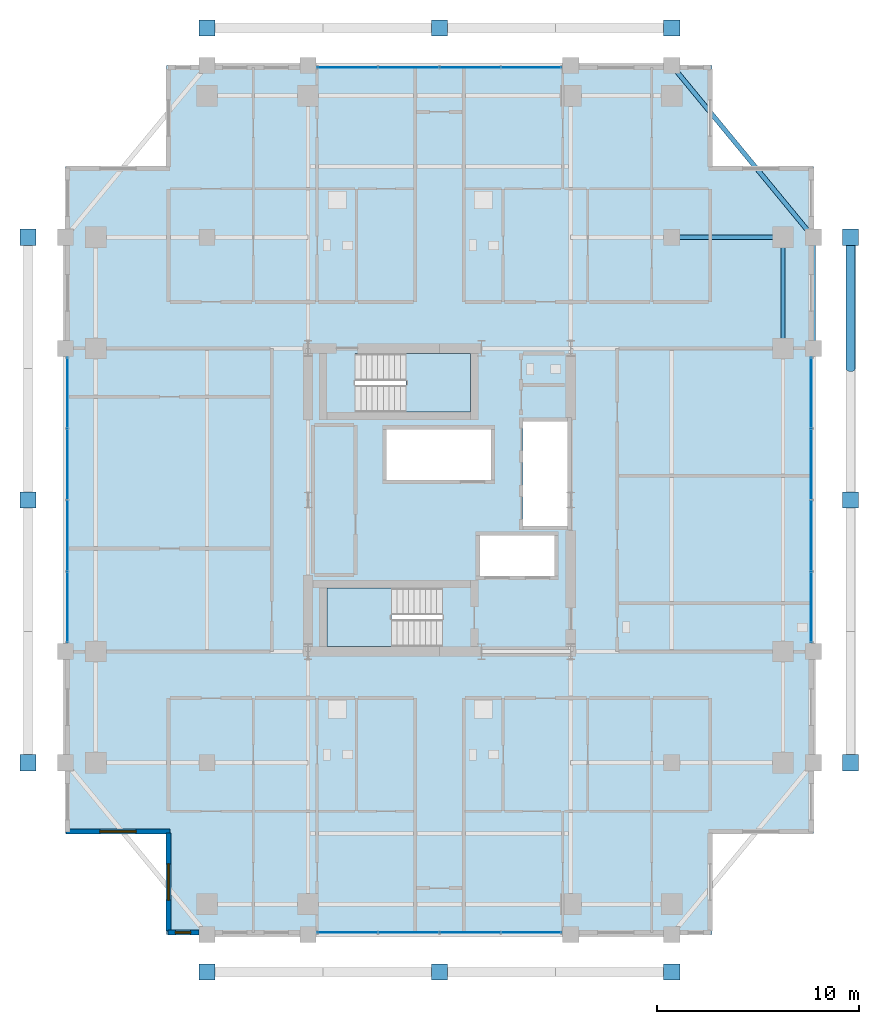
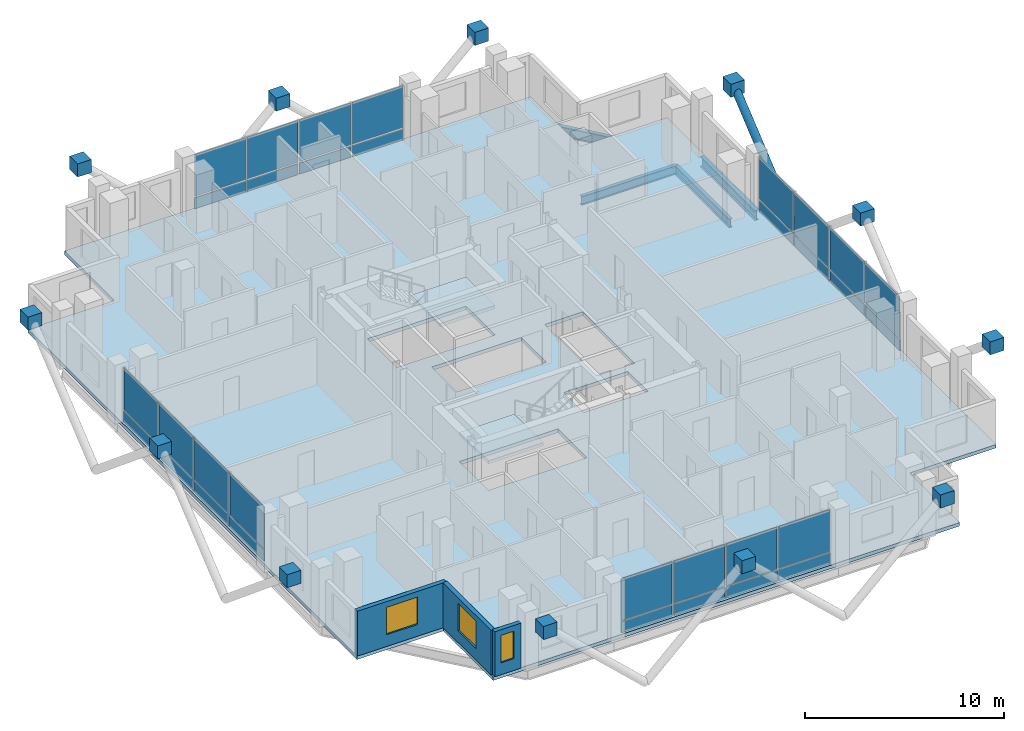
# One storey, part 17 of 24: 44 plates, 4 beams, 3 slabs, 3 walls, 3 windows, 1 member, 3 openings, 6 elements without a shape of their own.
"""IFC4 building model written with IfcOpenShell, lengths in metres."""

from ifc_helpers import new_model, si_unit, direction, frame, frame_2d, origin, origin_2d, place, context, subcontext, project, spatial, polyline, rectangle, hollow_circle, i_section, outline, extrude, material, layer, layer_set, material_profile, profile_set, type_object, element, fill, aggregate, save


model = new_model("IFC4")

# Units and contexts
model_context = context("Model", 3, precision=1e-05, world=origin(), true_north=direction((0.0, 1.0)))
body_context = subcontext(model_context, "Body", "Model", "MODEL_VIEW")
ifc_project = project(units=[si_unit("LENGTHUNIT", "METRE"), si_unit("AREAUNIT", "SQUARE_METRE"), si_unit("VOLUMEUNIT", "CUBIC_METRE"), si_unit("PLANEANGLEUNIT", "RADIAN"), si_unit("MASSUNIT", "GRAM", prefix="KILO")], contexts=[model_context])

# Site, building, storey
site_placement = place(None, origin())
site = spatial("IfcSite", under=ifc_project, at=site_placement, CompositionType="ELEMENT")
building_placement = place(site_placement, origin())
building = spatial("IfcBuilding", under=site, at=building_placement, Name="Barlavira Tower and Art Museum", CompositionType="ELEMENT")
storey_placement = place(building_placement, frame((0.0, 0.0, 194.39990234375)))
storey = spatial("IfcBuildingStorey", under=building, at=storey_placement, Name="L50", CompositionType="ELEMENT", Elevation=194.39990234375)

# Member
ifc_material_1 = material(Name="Steel S355", Category="steel")
ifc_material_profile_1 = material_profile(ifc_material_1, hollow_circle(Radius=0.228515625, WallThickness=0.02001953125, at=origin_2d()), Name="CHS 457.0x20.0")
ifc_profile_set_1 = profile_set([ifc_material_profile_1], Name="Steel S355")
member_type = type_object("IfcMemberType", Name="Pale-Metal Exoskeleton Diagrid Tube CHS 457x20 Steel S355", PredefinedType="BRACE", material=ifc_profile_set_1)
member_placement = place(storey_placement, frame((20.35009765625, 6.5, -1.919921875), z_axis=(0.0, 0.769196053329, 0.639012857104), x_axis=(-1.0, 0.0, 0.0)))
element("IfcMember", 1, at=member_placement, inside=storey, type_object=member_type, Name="L50 Exoskeleton Diagrid Tube E", PredefinedType="BRACE", context=body_context, shape_type="SweptSolid", body=[
    extrude(hollow_circle(Radius=0.228515625, WallThickness=0.02001953125, at=origin_2d()), origin(), (0.0, 0.0, 1.0), 8.450439453125),
])

# Beams
ifc_material_profile_2 = material_profile(ifc_material_1, i_section(OverallWidth=0.22998046875, OverallDepth=0.616943359375, WebThickness=0.01318359375, FlangeThickness=0.022216796875, at=origin_2d()), Name="W610x140.0")
ifc_profile_set_2 = profile_set([ifc_material_profile_2], Name="Steel S355")
beam_type_1 = type_object("IfcBeamType", Name="Upper Shaft Spandrel Edge Beam W610x140 Steel S355", PredefinedType="SPANDREL", material=ifc_profile_set_2)
beam_1_placement = place(storey_placement, frame((18.5, 7.5, -0.5283203125), z_axis=(0.0, 1.0, 0.0), x_axis=(-1.0, 0.0, 0.0)))
element("IfcBeam", 2, at=beam_1_placement, inside=storey, type_object=beam_type_1, Name="L50 Spandrel 7", PredefinedType="SPANDREL", context=body_context, shape_type="SweptSolid", body=[
    extrude(i_section(OverallWidth=0.22998046875, OverallDepth=0.616943359375, WebThickness=0.01318359375, FlangeThickness=0.022216796875, at=origin_2d()), origin(), (0.0, 0.0, 1.0), 5.5),
])
beam_2_placement = place(storey_placement, frame((18.5, 13.0, -0.5283203125), z_axis=(-0.635707252861, 0.771930235617, 0.0), x_axis=(-0.771930235617, -0.635707252861, 0.0)))
element("IfcBeam", 3, at=beam_2_placement, inside=storey, type_object=beam_type_1, Name="L50 Spandrel 8", PredefinedType="SPANDREL", context=body_context, shape_type="SweptSolid", body=[
    extrude(i_section(OverallWidth=0.22998046875, OverallDepth=0.616943359375, WebThickness=0.01318359375, FlangeThickness=0.022216796875, at=origin_2d()), origin(), (0.0, 0.0, 1.0), 11.011474609375),
])
ifc_material_profile_3 = material_profile(ifc_material_1, i_section(OverallWidth=0.2109375, OverallDepth=0.5390625, WebThickness=0.01171875, FlangeThickness=0.018798828125, at=origin_2d()), Name="W530x109.0")
ifc_profile_set_3 = profile_set([ifc_material_profile_3], Name="Steel S355")
beam_type_2 = type_object("IfcBeamType", Name="Zone 3-4 Primary Floor Girder W530x109 Steel S355", PredefinedType="BEAM", material=ifc_profile_set_3)
for number, where, z_axis, x_axis, name in (
    (4, (17.0, 7.5, -0.489501953125), (0.0, 1.0, 0.0), (-1.0, 0.0, 0.0), "L50 Girder M-E3"),
    (5, (11.5, 13.0, -0.489501953125), (1.0, 0.0, 0.0), (0.0, 1.0, 0.0), "L50 Girder I-N4"),
):
    element("IfcBeam", number, at=place(storey_placement, frame(where, z_axis=z_axis, x_axis=x_axis)), inside=storey, type_object=beam_type_2, Name=name, PredefinedType="BEAM", context=body_context, shape_type="SweptSolid", body=[
        extrude(i_section(OverallWidth=0.2109375, OverallDepth=0.5390625, WebThickness=0.01171875, FlangeThickness=0.018798828125, at=origin_2d()), origin(), (0.0, 0.0, 1.0), 5.5),
    ])

# Curtain wall, plates
ifc_material_2 = material(Name="Low-iron coastal laminated glass", Category="glass")
ifc_layer_1 = layer(ifc_material_2, 0.199951171875, Name="Low-iron coastal laminated glass")
ifc_layer_set_1 = layer_set([ifc_layer_1], Name="Low-iron coastal laminated glass")
curtain_wall_type = type_object("IfcCurtainWallType", Name="Pale-Metal Unitised Curtain Wall Zone 3", PredefinedType="NOTDEFINED", material=ifc_layer_set_1)
curtain_wall_1_placement = place(storey_placement, origin())
curtain_wall_1 = element("IfcCurtainWall", 6, at=curtain_wall_1_placement, inside=storey, type_object=curtain_wall_type, Name="L50 Curtain Wall CW3-L50-S-B3", PredefinedType="NOTDEFINED")
ifc_material_3 = material(Name="Pale anodised aluminium", Category="aluminium")
ifc_layer_2 = layer(ifc_material_3, 0.044921875, Name="Pale anodised aluminium")
ifc_layer_set_2 = layer_set([ifc_layer_2], Name="Pale anodised aluminium")
plate_type_1 = type_object("IfcPlateType", Name="Curtain Wall Pale-Metal Spandrel Panel 45", PredefinedType="CURTAIN_PANEL", material=ifc_layer_set_2)
plate_1_placement = place(storey_placement, frame((-4.56005859375, -21.39990234375, 0.0400390625), z_axis=(0.0, 0.0, 1.0), x_axis=(1.0, 0.0, 0.0)))
plate_1 = element("IfcPlate", 7, at=plate_1_placement, type_object=plate_type_1, Name="CW3-L50-S-B3 Spandrel Panel 0", PredefinedType="CURTAIN_PANEL", context=body_context, shape_type="SweptSolid", body=[
    extrude(rectangle(XDim=2.93994140625, YDim=0.044921875, at=origin_2d()), origin(), (0.0, 0.0, 1.0), 0.6640625),
])
plate_2_placement = place(storey_placement, frame((-1.52001953125, -21.39990234375, 0.0400390625), z_axis=(0.0, 0.0, 1.0), x_axis=(1.0, 0.0, 0.0)))
plate_2 = element("IfcPlate", 8, at=plate_2_placement, type_object=plate_type_1, Name="CW3-L50-S-B3 Spandrel Panel 1", PredefinedType="CURTAIN_PANEL", context=body_context, shape_type="SweptSolid", body=[
    extrude(rectangle(XDim=2.93994140625, YDim=0.044921875, at=origin_2d()), origin(), (0.0, 0.0, 1.0), 0.6640625),
])
plate_3_placement = place(storey_placement, frame((1.52001953125, -21.39990234375, 0.0400390625), z_axis=(0.0, 0.0, 1.0), x_axis=(1.0, 0.0, 0.0)))
plate_3 = element("IfcPlate", 9, at=plate_3_placement, type_object=plate_type_1, Name="CW3-L50-S-B3 Spandrel Panel 2", PredefinedType="CURTAIN_PANEL", context=body_context, shape_type="SweptSolid", body=[
    extrude(rectangle(XDim=2.93994140625, YDim=0.044921875, at=origin_2d()), origin(), (0.0, 0.0, 1.0), 0.6640625),
])
plate_4_placement = place(storey_placement, frame((4.56005859375, -21.39990234375, 0.0400390625), z_axis=(0.0, 0.0, 1.0), x_axis=(1.0, 0.0, 0.0)))
plate_4 = element("IfcPlate", 10, at=plate_4_placement, type_object=plate_type_1, Name="CW3-L50-S-B3 Spandrel Panel 3", PredefinedType="CURTAIN_PANEL", context=body_context, shape_type="SweptSolid", body=[
    extrude(rectangle(XDim=2.93994140625, YDim=0.044921875, at=origin_2d()), origin(), (0.0, 0.0, 1.0), 0.6640625),
])

curtain_wall_2_placement = place(storey_placement, origin())
curtain_wall_2 = element("IfcCurtainWall", 11, at=curtain_wall_2_placement, inside=storey, type_object=curtain_wall_type, Name="L50 Curtain Wall CW3-L50-N-B3", PredefinedType="NOTDEFINED")
plate_5_placement = place(storey_placement, frame((4.56005859375, 21.39990234375, 0.0400390625), z_axis=(0.0, 0.0, 1.0), x_axis=(-1.0, 0.0, 0.0)))
plate_5 = element("IfcPlate", 12, at=plate_5_placement, type_object=plate_type_1, Name="CW3-L50-N-B3 Spandrel Panel 0", PredefinedType="CURTAIN_PANEL", context=body_context, shape_type="SweptSolid", body=[
    extrude(rectangle(XDim=2.93994140625, YDim=0.044921875, at=origin_2d()), origin(), (0.0, 0.0, 1.0), 0.6640625),
])
plate_6_placement = place(storey_placement, frame((1.52001953125, 21.39990234375, 0.0400390625), z_axis=(0.0, 0.0, 1.0), x_axis=(-1.0, 0.0, 0.0)))
plate_6 = element("IfcPlate", 13, at=plate_6_placement, type_object=plate_type_1, Name="CW3-L50-N-B3 Spandrel Panel 1", PredefinedType="CURTAIN_PANEL", context=body_context, shape_type="SweptSolid", body=[
    extrude(rectangle(XDim=2.93994140625, YDim=0.044921875, at=origin_2d()), origin(), (0.0, 0.0, 1.0), 0.6640625),
])
plate_7_placement = place(storey_placement, frame((-1.52001953125, 21.39990234375, 0.0400390625), z_axis=(0.0, 0.0, 1.0), x_axis=(-1.0, 0.0, 0.0)))
plate_7 = element("IfcPlate", 14, at=plate_7_placement, type_object=plate_type_1, Name="CW3-L50-N-B3 Spandrel Panel 2", PredefinedType="CURTAIN_PANEL", context=body_context, shape_type="SweptSolid", body=[
    extrude(rectangle(XDim=2.93994140625, YDim=0.044921875, at=origin_2d()), origin(), (0.0, 0.0, 1.0), 0.6640625),
])
plate_8_placement = place(storey_placement, frame((-4.56005859375, 21.39990234375, 0.0400390625), z_axis=(0.0, 0.0, 1.0), x_axis=(-1.0, 0.0, 0.0)))
plate_8 = element("IfcPlate", 15, at=plate_8_placement, type_object=plate_type_1, Name="CW3-L50-N-B3 Spandrel Panel 3", PredefinedType="CURTAIN_PANEL", context=body_context, shape_type="SweptSolid", body=[
    extrude(rectangle(XDim=2.93994140625, YDim=0.044921875, at=origin_2d()), origin(), (0.0, 0.0, 1.0), 0.6640625),
])

curtain_wall_3_placement = place(storey_placement, origin())
curtain_wall_3 = element("IfcCurtainWall", 16, at=curtain_wall_3_placement, inside=storey, type_object=curtain_wall_type, Name="L50 Curtain Wall CW3-L50-W-B3", PredefinedType="NOTDEFINED")
plate_9_placement = place(storey_placement, frame((-18.39990234375, 5.31005859375, 0.0400390625), z_axis=(0.0, 0.0, 1.0), x_axis=(0.0, -1.0, 0.0)))
plate_9 = element("IfcPlate", 17, at=plate_9_placement, type_object=plate_type_1, Name="CW3-L50-W-B3 Spandrel Panel 0", PredefinedType="CURTAIN_PANEL", context=body_context, shape_type="SweptSolid", body=[
    extrude(rectangle(XDim=3.43994140625, YDim=0.044921875, at=origin_2d()), origin(), (0.0, 0.0, 1.0), 0.6640625),
])
plate_10_placement = place(storey_placement, frame((-18.39990234375, 1.77001953125, 0.0400390625), z_axis=(0.0, 0.0, 1.0), x_axis=(0.0, -1.0, 0.0)))
plate_10 = element("IfcPlate", 18, at=plate_10_placement, type_object=plate_type_1, Name="CW3-L50-W-B3 Spandrel Panel 1", PredefinedType="CURTAIN_PANEL", context=body_context, shape_type="SweptSolid", body=[
    extrude(rectangle(XDim=3.43994140625, YDim=0.044921875, at=origin_2d()), origin(), (0.0, 0.0, 1.0), 0.6640625),
])
plate_11_placement = place(storey_placement, frame((-18.39990234375, -1.77001953125, 0.0400390625), z_axis=(0.0, 0.0, 1.0), x_axis=(0.0, -1.0, 0.0)))
plate_11 = element("IfcPlate", 19, at=plate_11_placement, type_object=plate_type_1, Name="CW3-L50-W-B3 Spandrel Panel 2", PredefinedType="CURTAIN_PANEL", context=body_context, shape_type="SweptSolid", body=[
    extrude(rectangle(XDim=3.43994140625, YDim=0.044921875, at=origin_2d()), origin(), (0.0, 0.0, 1.0), 0.6640625),
])
plate_12_placement = place(storey_placement, frame((-18.39990234375, -5.31005859375, 0.0400390625), z_axis=(0.0, 0.0, 1.0), x_axis=(0.0, -1.0, 0.0)))
plate_12 = element("IfcPlate", 20, at=plate_12_placement, type_object=plate_type_1, Name="CW3-L50-W-B3 Spandrel Panel 3", PredefinedType="CURTAIN_PANEL", context=body_context, shape_type="SweptSolid", body=[
    extrude(rectangle(XDim=3.43994140625, YDim=0.044921875, at=origin_2d()), origin(), (0.0, 0.0, 1.0), 0.6640625),
])

curtain_wall_4_placement = place(storey_placement, origin())
curtain_wall_4 = element("IfcCurtainWall", 21, at=curtain_wall_4_placement, inside=storey, type_object=curtain_wall_type, Name="L50 Curtain Wall CW3-L50-E-B3", PredefinedType="NOTDEFINED")
plate_13_placement = place(storey_placement, frame((18.39990234375, -5.31005859375, 0.0400390625), z_axis=(0.0, 0.0, 1.0), x_axis=(0.0, 1.0, 0.0)))
plate_13 = element("IfcPlate", 22, at=plate_13_placement, type_object=plate_type_1, Name="CW3-L50-E-B3 Spandrel Panel 0", PredefinedType="CURTAIN_PANEL", context=body_context, shape_type="SweptSolid", body=[
    extrude(rectangle(XDim=3.43994140625, YDim=0.044921875, at=origin_2d()), origin(), (0.0, 0.0, 1.0), 0.6640625),
])
plate_14_placement = place(storey_placement, frame((18.39990234375, -1.77001953125, 0.0400390625), z_axis=(0.0, 0.0, 1.0), x_axis=(0.0, 1.0, 0.0)))
plate_14 = element("IfcPlate", 23, at=plate_14_placement, type_object=plate_type_1, Name="CW3-L50-E-B3 Spandrel Panel 1", PredefinedType="CURTAIN_PANEL", context=body_context, shape_type="SweptSolid", body=[
    extrude(rectangle(XDim=3.43994140625, YDim=0.044921875, at=origin_2d()), origin(), (0.0, 0.0, 1.0), 0.6640625),
])
plate_15_placement = place(storey_placement, frame((18.39990234375, 1.77001953125, 0.0400390625), z_axis=(0.0, 0.0, 1.0), x_axis=(0.0, 1.0, 0.0)))
plate_15 = element("IfcPlate", 24, at=plate_15_placement, type_object=plate_type_1, Name="CW3-L50-E-B3 Spandrel Panel 2", PredefinedType="CURTAIN_PANEL", context=body_context, shape_type="SweptSolid", body=[
    extrude(rectangle(XDim=3.43994140625, YDim=0.044921875, at=origin_2d()), origin(), (0.0, 0.0, 1.0), 0.6640625),
])
plate_16_placement = place(storey_placement, frame((18.39990234375, 5.31005859375, 0.0400390625), z_axis=(0.0, 0.0, 1.0), x_axis=(0.0, 1.0, 0.0)))
plate_16 = element("IfcPlate", 25, at=plate_16_placement, type_object=plate_type_1, Name="CW3-L50-E-B3 Spandrel Panel 3", PredefinedType="CURTAIN_PANEL", context=body_context, shape_type="SweptSolid", body=[
    extrude(rectangle(XDim=3.43994140625, YDim=0.044921875, at=origin_2d()), origin(), (0.0, 0.0, 1.0), 0.6640625),
])

# Plate
ifc_layer_3 = layer(ifc_material_2, 0.028076171875, Name="Low-iron coastal laminated glass")
ifc_layer_set_3 = layer_set([ifc_layer_3], Name="Low-iron coastal laminated glass")
plate_type_2 = type_object("IfcPlateType", Name="Curtain Wall Vision Glazing Panel 28", PredefinedType="CURTAIN_PANEL", material=ifc_layer_set_3)
plate_17_placement = place(storey_placement, frame((-4.56005859375, -21.39990234375, 0.7841796875), z_axis=(0.0, 0.0, 1.0), x_axis=(1.0, 0.0, 0.0)))
plate_17 = element("IfcPlate", 26, at=plate_17_placement, type_object=plate_type_2, Name="CW3-L50-S-B3 Vision Glass Panel 0", PredefinedType="CURTAIN_PANEL", context=body_context, shape_type="SweptSolid", body=[
    extrude(rectangle(XDim=2.93994140625, YDim=0.028076171875, at=origin_2d()), origin(), (0.0, 0.0, 1.0), 2.555908203125),
])

plate_18_placement = place(storey_placement, frame((-1.52001953125, -21.39990234375, 0.7841796875), z_axis=(0.0, 0.0, 1.0), x_axis=(1.0, 0.0, 0.0)))
plate_18 = element("IfcPlate", 27, at=plate_18_placement, type_object=plate_type_2, Name="CW3-L50-S-B3 Vision Glass Panel 1", PredefinedType="CURTAIN_PANEL", context=body_context, shape_type="SweptSolid", body=[
    extrude(rectangle(XDim=2.93994140625, YDim=0.028076171875, at=origin_2d()), origin(), (0.0, 0.0, 1.0), 2.555908203125),
])

plate_19_placement = place(storey_placement, frame((1.52001953125, -21.39990234375, 0.7841796875), z_axis=(0.0, 0.0, 1.0), x_axis=(1.0, 0.0, 0.0)))
plate_19 = element("IfcPlate", 28, at=plate_19_placement, type_object=plate_type_2, Name="CW3-L50-S-B3 Vision Glass Panel 2", PredefinedType="CURTAIN_PANEL", context=body_context, shape_type="SweptSolid", body=[
    extrude(rectangle(XDim=2.93994140625, YDim=0.028076171875, at=origin_2d()), origin(), (0.0, 0.0, 1.0), 2.555908203125),
])

plate_20_placement = place(storey_placement, frame((4.56005859375, -21.39990234375, 0.7841796875), z_axis=(0.0, 0.0, 1.0), x_axis=(1.0, 0.0, 0.0)))
plate_20 = element("IfcPlate", 29, at=plate_20_placement, type_object=plate_type_2, Name="CW3-L50-S-B3 Vision Glass Panel 3", PredefinedType="CURTAIN_PANEL", context=body_context, shape_type="SweptSolid", body=[
    extrude(rectangle(XDim=2.93994140625, YDim=0.028076171875, at=origin_2d()), origin(), (0.0, 0.0, 1.0), 2.555908203125),
])

aggregate(curtain_wall_1, [plate_1, plate_17, plate_2, plate_18, plate_3, plate_19, plate_4, plate_20])

plate_21_placement = place(storey_placement, frame((4.56005859375, 21.39990234375, 0.7841796875), z_axis=(0.0, 0.0, 1.0), x_axis=(-1.0, 0.0, 0.0)))
plate_21 = element("IfcPlate", 30, at=plate_21_placement, type_object=plate_type_2, Name="CW3-L50-N-B3 Vision Glass Panel 0", PredefinedType="CURTAIN_PANEL", context=body_context, shape_type="SweptSolid", body=[
    extrude(rectangle(XDim=2.93994140625, YDim=0.028076171875, at=origin_2d()), origin(), (0.0, 0.0, 1.0), 2.555908203125),
])

plate_22_placement = place(storey_placement, frame((1.52001953125, 21.39990234375, 0.7841796875), z_axis=(0.0, 0.0, 1.0), x_axis=(-1.0, 0.0, 0.0)))
plate_22 = element("IfcPlate", 31, at=plate_22_placement, type_object=plate_type_2, Name="CW3-L50-N-B3 Vision Glass Panel 1", PredefinedType="CURTAIN_PANEL", context=body_context, shape_type="SweptSolid", body=[
    extrude(rectangle(XDim=2.93994140625, YDim=0.028076171875, at=origin_2d()), origin(), (0.0, 0.0, 1.0), 2.555908203125),
])

plate_23_placement = place(storey_placement, frame((-1.52001953125, 21.39990234375, 0.7841796875), z_axis=(0.0, 0.0, 1.0), x_axis=(-1.0, 0.0, 0.0)))
plate_23 = element("IfcPlate", 32, at=plate_23_placement, type_object=plate_type_2, Name="CW3-L50-N-B3 Vision Glass Panel 2", PredefinedType="CURTAIN_PANEL", context=body_context, shape_type="SweptSolid", body=[
    extrude(rectangle(XDim=2.93994140625, YDim=0.028076171875, at=origin_2d()), origin(), (0.0, 0.0, 1.0), 2.555908203125),
])

plate_24_placement = place(storey_placement, frame((-4.56005859375, 21.39990234375, 0.7841796875), z_axis=(0.0, 0.0, 1.0), x_axis=(-1.0, 0.0, 0.0)))
plate_24 = element("IfcPlate", 33, at=plate_24_placement, type_object=plate_type_2, Name="CW3-L50-N-B3 Vision Glass Panel 3", PredefinedType="CURTAIN_PANEL", context=body_context, shape_type="SweptSolid", body=[
    extrude(rectangle(XDim=2.93994140625, YDim=0.028076171875, at=origin_2d()), origin(), (0.0, 0.0, 1.0), 2.555908203125),
])

aggregate(curtain_wall_2, [plate_5, plate_21, plate_6, plate_22, plate_7, plate_23, plate_8, plate_24])

plate_25_placement = place(storey_placement, frame((-18.39990234375, 5.31005859375, 0.7841796875), z_axis=(0.0, 0.0, 1.0), x_axis=(0.0, -1.0, 0.0)))
plate_25 = element("IfcPlate", 34, at=plate_25_placement, type_object=plate_type_2, Name="CW3-L50-W-B3 Vision Glass Panel 0", PredefinedType="CURTAIN_PANEL", context=body_context, shape_type="SweptSolid", body=[
    extrude(rectangle(XDim=3.43994140625, YDim=0.028076171875, at=origin_2d()), origin(), (0.0, 0.0, 1.0), 2.555908203125),
])

plate_26_placement = place(storey_placement, frame((-18.39990234375, 1.77001953125, 0.7841796875), z_axis=(0.0, 0.0, 1.0), x_axis=(0.0, -1.0, 0.0)))
plate_26 = element("IfcPlate", 35, at=plate_26_placement, type_object=plate_type_2, Name="CW3-L50-W-B3 Vision Glass Panel 1", PredefinedType="CURTAIN_PANEL", context=body_context, shape_type="SweptSolid", body=[
    extrude(rectangle(XDim=3.43994140625, YDim=0.028076171875, at=origin_2d()), origin(), (0.0, 0.0, 1.0), 2.555908203125),
])

plate_27_placement = place(storey_placement, frame((-18.39990234375, -1.77001953125, 0.7841796875), z_axis=(0.0, 0.0, 1.0), x_axis=(0.0, -1.0, 0.0)))
plate_27 = element("IfcPlate", 36, at=plate_27_placement, type_object=plate_type_2, Name="CW3-L50-W-B3 Vision Glass Panel 2", PredefinedType="CURTAIN_PANEL", context=body_context, shape_type="SweptSolid", body=[
    extrude(rectangle(XDim=3.43994140625, YDim=0.028076171875, at=origin_2d()), origin(), (0.0, 0.0, 1.0), 2.555908203125),
])

plate_28_placement = place(storey_placement, frame((-18.39990234375, -5.31005859375, 0.7841796875), z_axis=(0.0, 0.0, 1.0), x_axis=(0.0, -1.0, 0.0)))
plate_28 = element("IfcPlate", 37, at=plate_28_placement, type_object=plate_type_2, Name="CW3-L50-W-B3 Vision Glass Panel 3", PredefinedType="CURTAIN_PANEL", context=body_context, shape_type="SweptSolid", body=[
    extrude(rectangle(XDim=3.43994140625, YDim=0.028076171875, at=origin_2d()), origin(), (0.0, 0.0, 1.0), 2.555908203125),
])

aggregate(curtain_wall_3, [plate_9, plate_25, plate_10, plate_26, plate_11, plate_27, plate_12, plate_28])

plate_29_placement = place(storey_placement, frame((18.39990234375, -5.31005859375, 0.7841796875), z_axis=(0.0, 0.0, 1.0), x_axis=(0.0, 1.0, 0.0)))
plate_29 = element("IfcPlate", 38, at=plate_29_placement, type_object=plate_type_2, Name="CW3-L50-E-B3 Vision Glass Panel 0", PredefinedType="CURTAIN_PANEL", context=body_context, shape_type="SweptSolid", body=[
    extrude(rectangle(XDim=3.43994140625, YDim=0.028076171875, at=origin_2d()), origin(), (0.0, 0.0, 1.0), 2.555908203125),
])

plate_30_placement = place(storey_placement, frame((18.39990234375, -1.77001953125, 0.7841796875), z_axis=(0.0, 0.0, 1.0), x_axis=(0.0, 1.0, 0.0)))
plate_30 = element("IfcPlate", 39, at=plate_30_placement, type_object=plate_type_2, Name="CW3-L50-E-B3 Vision Glass Panel 1", PredefinedType="CURTAIN_PANEL", context=body_context, shape_type="SweptSolid", body=[
    extrude(rectangle(XDim=3.43994140625, YDim=0.028076171875, at=origin_2d()), origin(), (0.0, 0.0, 1.0), 2.555908203125),
])

plate_31_placement = place(storey_placement, frame((18.39990234375, 1.77001953125, 0.7841796875), z_axis=(0.0, 0.0, 1.0), x_axis=(0.0, 1.0, 0.0)))
plate_31 = element("IfcPlate", 40, at=plate_31_placement, type_object=plate_type_2, Name="CW3-L50-E-B3 Vision Glass Panel 2", PredefinedType="CURTAIN_PANEL", context=body_context, shape_type="SweptSolid", body=[
    extrude(rectangle(XDim=3.43994140625, YDim=0.028076171875, at=origin_2d()), origin(), (0.0, 0.0, 1.0), 2.555908203125),
])

plate_32_placement = place(storey_placement, frame((18.39990234375, 5.31005859375, 0.7841796875), z_axis=(0.0, 0.0, 1.0), x_axis=(0.0, 1.0, 0.0)))
plate_32 = element("IfcPlate", 41, at=plate_32_placement, type_object=plate_type_2, Name="CW3-L50-E-B3 Vision Glass Panel 3", PredefinedType="CURTAIN_PANEL", context=body_context, shape_type="SweptSolid", body=[
    extrude(rectangle(XDim=3.43994140625, YDim=0.028076171875, at=origin_2d()), origin(), (0.0, 0.0, 1.0), 2.555908203125),
])

aggregate(curtain_wall_4, [plate_13, plate_29, plate_14, plate_30, plate_15, plate_31, plate_16, plate_32])

# Plates
ifc_layer_4 = layer(ifc_material_1, 0.800048828125, Name="Steel S355")
ifc_layer_set_4 = layer_set([ifc_layer_4], Name="Steel S355")
plate_type_3 = type_object("IfcPlateType", Name="Exoskeleton Solid Steel Node Cap Plate Assembly Type 3 Steel S355", PredefinedType="USERDEFINED", material=ifc_layer_set_4)
for number, where, z_axis, x_axis, name in (
    (42, (-11.5, -23.35009765625, 3.080078125), (0.0, 0.0, 1.0), (1.0, 0.0, 0.0), "Exoskeleton Node S ND-L50-0517"),
    (43, (0.0, -23.35009765625, 3.080078125), (0.0, 0.0, 1.0), (1.0, 0.0, 0.0), "Exoskeleton Node S ND-L50-0518"),
    (44, (11.5, -23.35009765625, 3.080078125), (0.0, 0.0, 1.0), (1.0, 0.0, 0.0), "Exoskeleton Node S ND-L50-0519"),
    (45, (-11.5, 23.35009765625, 3.080078125), (0.0, 0.0, 1.0), (1.0, 0.0, 0.0), "Exoskeleton Node N ND-L50-0525"),
    (46, (0.0, 23.35009765625, 3.080078125), (0.0, 0.0, 1.0), (1.0, 0.0, 0.0), "Exoskeleton Node N ND-L50-0526"),
    (47, (11.5, 23.35009765625, 3.080078125), (0.0, 0.0, 1.0), (1.0, 0.0, 0.0), "Exoskeleton Node N ND-L50-0527"),
    (48, (-20.35009765625, -13.0, 3.080078125), (0.0, 0.0, 1.0), (1.0, 0.0, 0.0), "Exoskeleton Node W ND-L50-0533"),
    (49, (-20.35009765625, 0.0, 3.080078125), (0.0, 0.0, 1.0), (1.0, 0.0, 0.0), "Exoskeleton Node W ND-L50-0534"),
    (50, (-20.35009765625, 13.0, 3.080078125), (0.0, 0.0, 1.0), (1.0, 0.0, 0.0), "Exoskeleton Node W ND-L50-0535"),
    (51, (20.35009765625, -13.0, 3.080078125), (0.0, 0.0, 1.0), (1.0, 0.0, 0.0), "Exoskeleton Node E ND-L50-0541"),
    (52, (20.35009765625, 0.0, 3.080078125), (0.0, 0.0, 1.0), (1.0, 0.0, 0.0), "Exoskeleton Node E ND-L50-0542"),
    (53, (20.35009765625, 13.0, 3.080078125), (0.0, 0.0, 1.0), (1.0, 0.0, 0.0), "Exoskeleton Node E ND-L50-0543"),
):
    element("IfcPlate", number, at=place(storey_placement, frame(where, z_axis=z_axis, x_axis=x_axis)), inside=storey, type_object=plate_type_3, Name=name, ObjectType="FLANGE_PLATE", PredefinedType="USERDEFINED", context=body_context, shape_type="SweptSolid", body=[
        extrude(rectangle(XDim=0.800048828125, YDim=0.800048828125, at=origin_2d()), origin(), (0.0, 0.0, 1.0), 0.800048828125),
    ])

# Stair, slab
ifc_material_4 = material(Name="Concrete C45", Category="concrete")
stair_type_1 = type_object("IfcStairType", Name="Tower North Dog-Leg Exit Stair Assembly Concrete C45", PredefinedType="TWO_QUARTER_TURN_STAIR", material=ifc_material_4)
stair_1_placement = place(storey_placement, origin())
stair_1 = element("IfcStair", 54, at=stair_1_placement, inside=storey, type_object=stair_type_1, Name="L50 Tower North Exit Stair ST-T2", PredefinedType="TWO_QUARTER_TURN_STAIR")
ifc_layer_5 = layer(ifc_material_4, 0.199951171875, Name="Concrete C45")
ifc_layer_set_5 = layer_set([ifc_layer_5], Name="Concrete C45")
slab_type_1 = type_object("IfcSlabType", Name="Tower North Dog-Leg Exit Stair Half-Landing Slab 200 Concrete C45", PredefinedType="LANDING", material=ifc_layer_set_5)
slab_1_placement = place(storey_placement, frame((0.0, 0.0, 1.60009765625)))
slab_1 = element("IfcSlab", 55, at=slab_1_placement, type_object=slab_type_1, Name="ST-T2 landing 1", PredefinedType="LANDING", context=body_context, shape_type="SweptSolid", body=[
    extrude(outline(polyline([(-1.64990234375, 4.35009765625), (1.530029296875, 4.35009765625), (1.530029296875, 7.25), (-1.64990234375, 7.25), (-1.64990234375, 4.35009765625)])), origin(), (0.0, 0.0, 1.0), 0.199951171875),
])
aggregate(stair_1, [slab_1])

stair_type_2 = type_object("IfcStairType", Name="Tower South Dog-Leg Exit Stair Assembly Concrete C45", PredefinedType="TWO_QUARTER_TURN_STAIR", material=ifc_material_4)
stair_2_placement = place(storey_placement, origin())
stair_2 = element("IfcStair", 56, at=stair_2_placement, inside=storey, type_object=stair_type_2, Name="L50 Tower South Exit Stair ST-T1", PredefinedType="TWO_QUARTER_TURN_STAIR")
ifc_layer_6 = layer(ifc_material_4, 0.199951171875, Name="Concrete C45")
ifc_layer_set_6 = layer_set([ifc_layer_6], Name="Concrete C45")
slab_type_2 = type_object("IfcSlabType", Name="Tower South Dog-Leg Exit Stair Half-Landing Slab 200 Concrete C45", PredefinedType="LANDING", material=ifc_layer_set_6)
slab_2_placement = place(storey_placement, frame((0.0, 0.0, 1.60009765625)))
slab_2 = element("IfcSlab", 57, at=slab_2_placement, type_object=slab_type_2, Name="ST-T1 landing 1", PredefinedType="LANDING", context=body_context, shape_type="SweptSolid", body=[
    extrude(outline(polyline([(-2.3701171875, -4.35009765625), (-5.550048828125, -4.35009765625), (-5.550048828125, -7.25), (-2.3701171875, -7.25), (-2.3701171875, -4.35009765625)])), origin(), (0.0, 0.0, 1.0), 0.199951171875),
])
aggregate(stair_2, [slab_2])

# Slab
ifc_material_5 = material(Name="Concrete C50", Category="concrete")
ifc_layer_7 = layer(ifc_material_5, 0.199951171875, Name="Concrete C50")
ifc_layer_set_7 = layer_set([ifc_layer_7], Name="Concrete C50")
slab_type_3 = type_object("IfcSlabType", Name="Zone 3 Residential Composite Slab 200 Concrete C50", PredefinedType="FLOOR", material=ifc_layer_set_7)
slab_3_placement = place(storey_placement, frame((0.0, 0.0, -0.219970703125)))
element("IfcSlab", 58, at=slab_3_placement, inside=storey, type_object=slab_type_3, Name="L50 Tower Floor Slab", PredefinedType="FLOOR", context=body_context, shape_type="SweptSolid", body=[
    extrude(outline(polyline([(-13.5, -21.5), (13.5, -21.5), (13.5, -16.5), (18.5, -16.5), (18.5, 16.5), (13.5, 16.5), (13.5, 21.5), (-13.5, 21.5), (-13.5, 16.5), (-18.5, 16.5), (-18.5, -16.5), (-13.5, -16.5), (-13.5, -21.5)]), holes=[polyline([(0.14990234375, -4.35009765625), (-5.550048828125, -4.35009765625), (-5.550048828125, -7.25), (0.14990234375, -7.25), (0.14990234375, -4.35009765625)]), polyline([(-4.169921875, 4.35009765625), (1.530029296875, 4.35009765625), (1.530029296875, 7.25), (-4.169921875, 7.25), (-4.169921875, 4.35009765625)]), polyline([(4.14990234375, -1.2900390625), (6.35009765625, -1.2900390625), (6.35009765625, 3.889892578125), (4.14990234375, 3.889892578125), (4.14990234375, -1.2900390625)]), polyline([(-2.6201171875, 1.0), (2.56005859375, 1.0), (2.56005859375, 3.5), (-2.6201171875, 3.5), (-2.6201171875, 1.0)]), polyline([(2.0, -3.75), (5.699951171875, -3.75), (5.699951171875, -1.75), (2.0, -1.75), (2.0, -3.75)])]), origin(), (0.0, 0.0, 1.0), 0.219970703125),
])

# Wall, opening, window
ifc_material_6 = material(Name="Precast concrete C40", Category="concrete")
ifc_layer_8 = layer(ifc_material_6, 0.25, Name="Precast concrete C40")
ifc_layer_set_8 = layer_set([ifc_layer_8], Name="Precast concrete C40")
wall_type = type_object("IfcWallType", Name="Notched Corner Spandrel Wall 250 Precast Concrete C40", PredefinedType="SOLIDWALL", material=ifc_layer_set_8)
wall_1_placement = place(storey_placement, frame((-13.425048828125, -21.39990234375, 0.0), z_axis=(0.0, 0.0, 1.0), x_axis=(1.0, 0.0, 0.0)))
wall_1 = element("IfcWall", 59, at=wall_1_placement, inside=storey, type_object=wall_type, Name="L50 Coastal Facade Pier Wall CW3-L50-S-1", PredefinedType="SOLIDWALL", context=body_context, shape_type="SweptSolid", body=[
    extrude(rectangle(XDim=1.530029296875, YDim=0.25, at=frame_2d((0.76513671875, 0.0))), origin(), (0.0, 0.0, 1.0), 2.748046875),
])
opening_1_placement = place(wall_1_placement, frame((0.363037109375, 0.0, 0.719970703125)))
opening_1 = element("IfcOpeningElement", 60, at=opening_1_placement, cuts=wall_1, Name="Opening WN-06", PredefinedType="OPENING", context=body_context, shape_type="SweptSolid", body=[
    extrude(rectangle(XDim=0.760009765625, YDim=1.679931640625, at=frame_2d((0.3798828125, 0.83984375))), frame((0.0, 0.135009765625, 0.0), z_axis=(0.0, -1.0, 0.0), x_axis=(1.0, 0.0, 0.0)), (0.0, 0.0, 1.0), 0.27001953125),
])
window_type_1 = type_object("IfcWindowType", Name="Recessed Narrow Pier Window 760x1680", PartitioningType="SINGLE_PANEL", PredefinedType="WINDOW", material=ifc_material_2)
window_1_placement = place(opening_1_placement, origin())
window_1 = element("IfcWindow", 61, at=window_1_placement, inside=storey, type_object=window_type_1, Name="L50 Punched Facade Window EWP-CW3-L50-S-1-1", OverallHeight=1.679931640625, OverallWidth=0.760009765625, PartitioningType="SINGLE_PANEL", PredefinedType="WINDOW", context=body_context, shape_type="SweptSolid", body=[
    extrude(rectangle(XDim=0.760009765625, YDim=1.679931640625, at=frame_2d((0.3798828125, 0.83984375))), frame((0.0, 0.030029296875, 0.0), z_axis=(0.0, -1.0, 0.0), x_axis=(1.0, 0.0, 0.0)), (0.0, 0.0, 1.0), 0.06005859375),
])
fill(opening_1, window_1)

wall_2_placement = place(storey_placement, frame((-18.47998046875, -16.39990234375, 0.0), z_axis=(0.0, 0.0, 1.0), x_axis=(1.0, 0.0, 0.0)))
wall_2 = element("IfcWall", 62, at=wall_2_placement, inside=storey, type_object=wall_type, Name="L50 Notch Corner Wall SW1", PredefinedType="SOLIDWALL", context=body_context, shape_type="SweptSolid", body=[
    extrude(rectangle(XDim=5.159912109375, YDim=0.25, at=frame_2d((2.580078125, 0.0))), origin(), (0.0, 0.0, 1.0), 2.748046875),
])
opening_2_placement = place(wall_2_placement, frame((1.679931640625, 0.0, 0.719970703125)))
opening_2 = element("IfcOpeningElement", 63, at=opening_2_placement, cuts=wall_2, Name="Opening WN-01", PredefinedType="OPENING", context=body_context, shape_type="SweptSolid", body=[
    extrude(rectangle(XDim=1.800048828125, YDim=1.679931640625, at=frame_2d((0.89990234375, 0.83984375))), frame((0.0, 0.135009765625, 0.0), z_axis=(0.0, -1.0, 0.0), x_axis=(1.0, 0.0, 0.0)), (0.0, 0.0, 1.0), 0.27001953125),
])
window_type_2 = type_object("IfcWindowType", Name="Recessed Notch Corner Punch Window 1800x1680", PartitioningType="SINGLE_PANEL", PredefinedType="WINDOW", material=ifc_material_2)
window_2_placement = place(opening_2_placement, origin())
window_2 = element("IfcWindow", 64, at=window_2_placement, inside=storey, type_object=window_type_2, Name="L50 Punched Facade Window EW-NTC-L50-SW1-1", OverallHeight=1.679931640625, OverallWidth=1.800048828125, PartitioningType="SINGLE_PANEL", PredefinedType="WINDOW", context=body_context, shape_type="SweptSolid", body=[
    extrude(rectangle(XDim=1.800048828125, YDim=1.679931640625, at=frame_2d((0.89990234375, 0.83984375))), frame((0.0, 0.030029296875, 0.0), z_axis=(0.0, -1.0, 0.0), x_axis=(1.0, 0.0, 0.0)), (0.0, 0.0, 1.0), 0.06005859375),
])
fill(opening_2, window_2)

wall_3_placement = place(storey_placement, frame((-13.39990234375, -16.47998046875, 0.0), z_axis=(0.0, 0.0, 1.0), x_axis=(0.0, -1.0, 0.0)))
wall_3 = element("IfcWall", 65, at=wall_3_placement, inside=storey, type_object=wall_type, Name="L50 Notch Corner Wall SW2", PredefinedType="SOLIDWALL", context=body_context, shape_type="SweptSolid", body=[
    extrude(rectangle(XDim=4.840087890625, YDim=0.25, at=frame_2d((2.419921875, 0.0))), origin(), (0.0, 0.0, 1.0), 2.748046875),
])
opening_3_placement = place(wall_3_placement, frame((1.52001953125, 0.0, 0.719970703125)))
opening_3 = element("IfcOpeningElement", 66, at=opening_3_placement, cuts=wall_3, Name="Opening WN-01", PredefinedType="OPENING", context=body_context, shape_type="SweptSolid", body=[
    extrude(rectangle(XDim=1.800048828125, YDim=1.679931640625, at=frame_2d((0.89990234375, 0.83984375))), frame((0.0, 0.135009765625, 0.0), z_axis=(0.0, -1.0, 0.0), x_axis=(1.0, 0.0, 0.0)), (0.0, 0.0, 1.0), 0.27001953125),
])
window_3_placement = place(opening_3_placement, origin())
window_3 = element("IfcWindow", 67, at=window_3_placement, inside=storey, type_object=window_type_2, Name="L50 Punched Facade Window EW-NTC-L50-SW2-1", OverallHeight=1.679931640625, OverallWidth=1.800048828125, PartitioningType="SINGLE_PANEL", PredefinedType="WINDOW", context=body_context, shape_type="SweptSolid", body=[
    extrude(rectangle(XDim=1.800048828125, YDim=1.679931640625, at=frame_2d((0.89990234375, 0.83984375))), frame((0.0, 0.030029296875, 0.0), z_axis=(0.0, -1.0, 0.0), x_axis=(1.0, 0.0, 0.0)), (0.0, 0.0, 1.0), 0.06005859375),
])
fill(opening_3, window_3)

save(model, "model.ifc")
